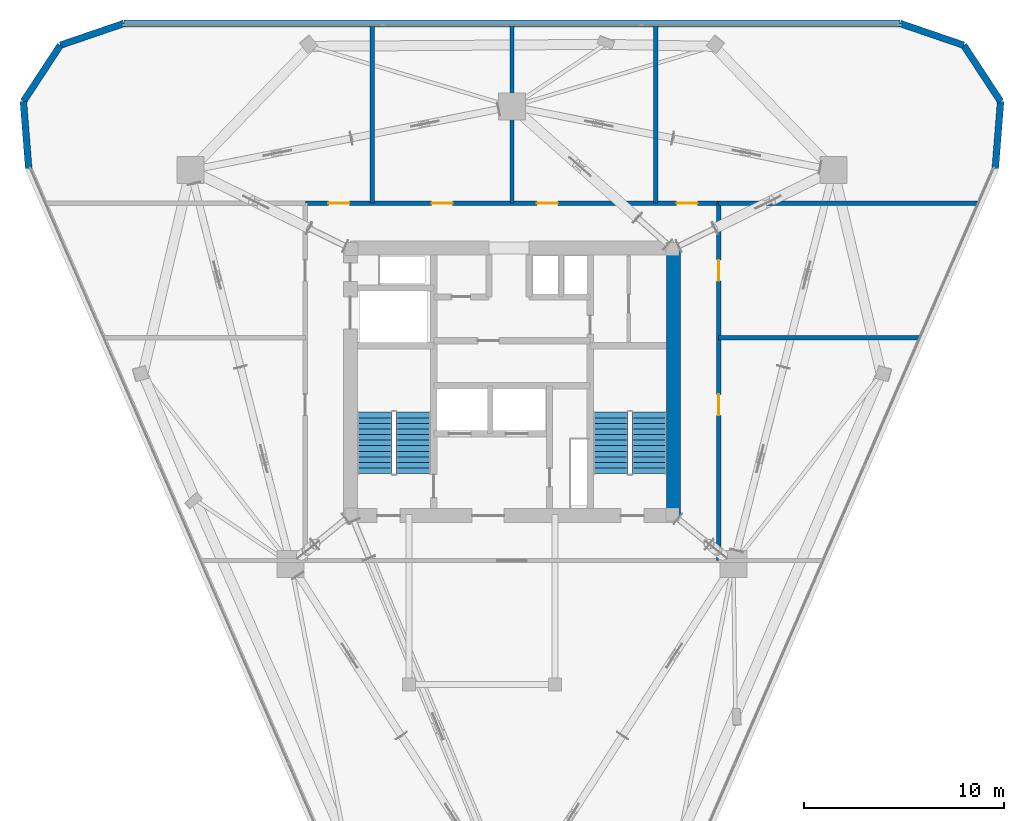
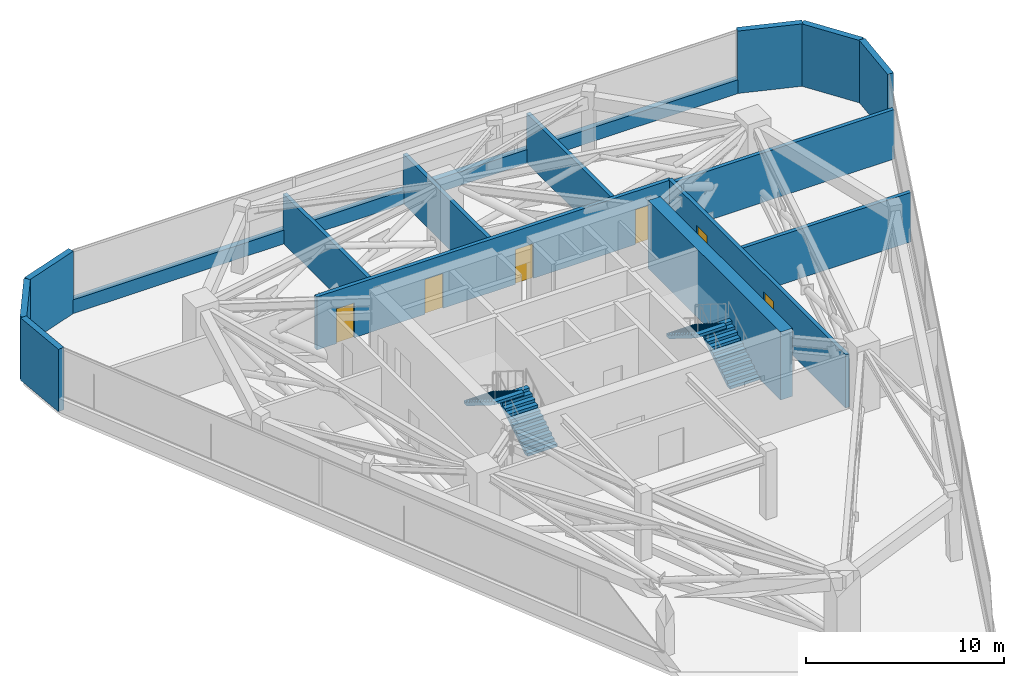
# One storey, part 11 of 12: 15 walls, 6 doors, 4 stair flights, 6 openings, 2 elements without a shape of their own.
"""IFC4 building model written with IfcOpenShell, lengths in metres."""

from ifc_helpers import new_model, si_unit, direction, frame, frame_2d, origin, place, context, subcontext, project, spatial, polyline, rectangle, outline, extrude, material, layer, layer_set, type_object, element, fill, aggregate, save


model = new_model("IFC4")

# Units and contexts
model_context = context("Model", 3, precision=1e-05, world=origin(), true_north=direction((0.0, 1.0)))
body_context = subcontext(model_context, "Body", "Model", "MODEL_VIEW")
ifc_project = project(units=[si_unit("LENGTHUNIT", "METRE"), si_unit("AREAUNIT", "SQUARE_METRE"), si_unit("VOLUMEUNIT", "CUBIC_METRE"), si_unit("PLANEANGLEUNIT", "RADIAN"), si_unit("MASSUNIT", "GRAM", prefix="KILO")], contexts=[model_context])

# Site, building, storey
site_placement = place(None, origin())
site = spatial("IfcSite", under=ifc_project, at=site_placement, CompositionType="ELEMENT")
building_placement = place(site_placement, origin())
building = spatial("IfcBuilding", under=site, at=building_placement, Name="Talyreon Biosciences Tower", CompositionType="ELEMENT")
storey_placement = place(building_placement, frame((0.0, 0.0, 223.199951171875)))
storey = spatial("IfcBuildingStorey", under=building, at=storey_placement, Name="L59", CompositionType="ELEMENT", Elevation=223.199951171875)

# Walls
ifc_material_1 = material(Name="Concrete C50/60", Category="concrete")
ifc_layer_1 = layer(ifc_material_1, 0.699951171875)
ifc_layer_set_1 = layer_set([ifc_layer_1], Name="Concrete C50/60")
wall_type_1 = type_object("IfcWallType", Name="CoreShearWall_700", PredefinedType="SHEAR", material=ifc_layer_set_1)
wall_1_placement = place(storey_placement, frame((74.10009765625, 61.300048828125, 0.0), z_axis=(0.0, 0.0, 1.0), x_axis=(0.0, 1.0, 0.0)))
element("IfcWall", 1, at=wall_1_placement, inside=storey, type_object=wall_type_1, Name="L59 Core Shear Wall E", PredefinedType="SHEAR", context=body_context, shape_type="SweptSolid", body=[
    extrude(rectangle(XDim=13.39990234375, YDim=0.699951171875, at=frame_2d((6.699951171875, 0.0))), origin(), (0.0, 0.0, 1.0), 4.199951171875),
])
ifc_material_2 = material(Name="Gypsum fireboard acoustic stud", Category="gypsum")
ifc_layer_2 = layer(ifc_material_2, 0.219970703125)
ifc_layer_set_2 = layer_set([ifc_layer_2], Name="Gypsum fireboard acoustic stud")
wall_type_2 = type_object("IfcWallType", Name="CorridorRatedPartition_220", PredefinedType="PARTITIONING", material=ifc_layer_set_2)
for number, where, z_axis, x_axis, name in (
    (2, (59.0, 76.949951171875, 0.0), (0.0, 0.0, 1.0), (0.0, 1.0, 0.0), "L59 Interior Wall IW-L59-ND1"),
    (3, (66.0, 76.949951171875, 0.0), (0.0, 0.0, 1.0), (0.0, 1.0, 0.0), "L59 Interior Wall IW-L59-ND2"),
    (4, (73.199951171875, 76.949951171875, 0.0), (0.0, 0.0, 1.0), (0.0, 1.0, 0.0), "L59 Interior Wall IW-L59-ND3"),
):
    element("IfcWall", number, at=place(storey_placement, frame(where, z_axis=z_axis, x_axis=x_axis)), inside=storey, type_object=wall_type_2, Name=name, PredefinedType="PARTITIONING", context=body_context, shape_type="SweptSolid", body=[
        extrude(rectangle(XDim=8.91650390625, YDim=0.219970703125, at=frame_2d((4.458251953125, 0.0))), origin(), (0.0, 0.0, 1.0), 3.050048828125),
    ])
wall_2_placement = place(storey_placement, frame((76.35009765625, 76.949951171875, 0.0), z_axis=(0.0, 0.0, 1.0), x_axis=(1.0, 0.0, 0.0)))
element("IfcWall", 5, at=wall_2_placement, inside=storey, type_object=wall_type_2, Name="L59 Interior Wall IW-L59-NDIV-NE", PredefinedType="PARTITIONING", context=body_context, shape_type="SweptSolid", body=[
    extrude(rectangle(XDim=13.0107421875, YDim=0.219970703125, at=frame_2d((6.50537109375, 0.0))), origin(), (0.0, 0.0, 1.0), 3.050048828125),
])
wall_3_placement = place(storey_placement, frame((76.35009765625, 70.199951171875, 0.0), z_axis=(0.0, 0.0, 1.0), x_axis=(1.0, 0.0, 0.0)))
element("IfcWall", 6, at=wall_3_placement, inside=storey, type_object=wall_type_2, Name="L59 Interior Wall IW-L59-ED1", PredefinedType="PARTITIONING", context=body_context, shape_type="SweptSolid", body=[
    extrude(rectangle(XDim=10.081298828125, YDim=0.219970703125, at=frame_2d((5.04052734375, 0.0))), origin(), (0.0, 0.0, 1.0), 3.050048828125),
])

# Wall, openings, doors
wall_4_placement = place(storey_placement, frame((76.35009765625, 59.050048828125, 0.0), z_axis=(0.0, 0.0, 1.0), x_axis=(0.0, 1.0, 0.0)))
wall_4 = element("IfcWall", 7, at=wall_4_placement, inside=storey, type_object=wall_type_2, Name="L59 Interior Wall IW-L59-PC-E", PredefinedType="PARTITIONING", context=body_context, shape_type="SweptSolid", body=[
    extrude(rectangle(XDim=17.89990234375, YDim=0.219970703125, at=frame_2d((8.949951171875, 0.0))), origin(), (0.0, 0.0, 1.0), 3.280029296875),
])
opening_1_placement = place(wall_4_placement, frame((7.264892578125, 0.0, 0.0)))
opening_1 = element("IfcOpeningElement", 8, at=opening_1_placement, cuts=wall_4, Name="Opening DR-L59-PL-EB", PredefinedType="OPENING", context=body_context, shape_type="SweptSolid", body=[
    extrude(rectangle(XDim=1.050048828125, YDim=2.14990234375, at=frame_2d((0.52490234375, 1.074951171875))), frame((0.0, 0.119873046875, 0.0), z_axis=(0.0, -1.0, 0.0), x_axis=(1.0, 0.0, 0.0)), (0.0, 0.0, 1.0), 0.239990234375),
])
opening_2_placement = place(wall_4_placement, frame((14.0, 0.0, 0.0)))
opening_2 = element("IfcOpeningElement", 9, at=opening_2_placement, cuts=wall_4, Name="Opening DR-L59-PL-EA", PredefinedType="OPENING", context=body_context, shape_type="SweptSolid", body=[
    extrude(rectangle(XDim=1.050048828125, YDim=2.14990234375, at=frame_2d((0.52490234375, 1.074951171875))), frame((0.0, 0.119873046875, 0.0), z_axis=(0.0, -1.0, 0.0), x_axis=(1.0, 0.0, 0.0)), (0.0, 0.0, 1.0), 0.239990234375),
])
ifc_material_3 = material(Name="Acoustic timber-core laboratory door", Category="wood")
door_type = type_object("IfcDoorType", Name="DryLabSingleDoor_1050x2150", OperationType="NOTDEFINED", PredefinedType="DOOR", material=ifc_material_3)
door_1_placement = place(opening_1_placement, origin())
door_1 = element("IfcDoor", 10, at=door_1_placement, inside=storey, type_object=door_type, Name="L59 Interior Door DR-L59-PL-EB", OperationType="SINGLE_SWING_RIGHT", OverallHeight=2.14990234375, OverallWidth=1.050048828125, PredefinedType="DOOR", context=body_context, shape_type="SweptSolid", body=[
    extrude(rectangle(XDim=1.050048828125, YDim=2.14990234375, at=frame_2d((0.52490234375, 1.074951171875))), frame((0.0, 0.02490234375, 0.0), z_axis=(0.0, -1.0, 0.0), x_axis=(1.0, 0.0, 0.0)), (0.0, 0.0, 1.0), 0.050048828125),
])
fill(opening_1, door_1)
door_2_placement = place(opening_2_placement, origin())
door_2 = element("IfcDoor", 11, at=door_2_placement, inside=storey, type_object=door_type, Name="L59 Interior Door DR-L59-PL-EA", OperationType="SINGLE_SWING_LEFT", OverallHeight=2.14990234375, OverallWidth=1.050048828125, PredefinedType="DOOR", context=body_context, shape_type="SweptSolid", body=[
    extrude(rectangle(XDim=1.050048828125, YDim=2.14990234375, at=frame_2d((0.52490234375, 1.074951171875))), frame((0.0, 0.02490234375, 0.0), z_axis=(0.0, -1.0, 0.0), x_axis=(1.0, 0.0, 0.0)), (0.0, 0.0, 1.0), 0.050048828125),
])
fill(opening_2, door_2)

wall_5_placement = place(storey_placement, frame((55.64990234375, 76.949951171875, 0.0), z_axis=(0.0, 0.0, 1.0), x_axis=(1.0, 0.0, 0.0)))
wall_5 = element("IfcWall", 12, at=wall_5_placement, inside=storey, type_object=wall_type_2, Name="L59 Interior Wall IW-L59-PC-N", PredefinedType="PARTITIONING", context=body_context, shape_type="SweptSolid", body=[
    extrude(rectangle(XDim=20.7001953125, YDim=0.219970703125, at=frame_2d((10.35009765625, 0.0))), origin(), (0.0, 0.0, 1.0), 3.280029296875),
])
opening_3_placement = place(wall_5_placement, frame((1.14990234375, 0.0, 0.0)))
opening_3 = element("IfcOpeningElement", 13, at=opening_3_placement, cuts=wall_5, Name="Opening DR-L59-PL-NWA", PredefinedType="OPENING", context=body_context, shape_type="SweptSolid", body=[
    extrude(rectangle(XDim=1.050048828125, YDim=2.14990234375, at=frame_2d((0.52490234375, 1.074951171875))), frame((0.0, 0.119873046875, 0.0), z_axis=(0.0, -1.0, 0.0), x_axis=(1.0, 0.0, 0.0)), (0.0, 0.0, 1.0), 0.239990234375),
])
opening_4_placement = place(wall_5_placement, frame((6.324951171875, 0.0, 0.0)))
opening_4 = element("IfcOpeningElement", 14, at=opening_4_placement, cuts=wall_5, Name="Opening DR-L59-PL-NWB", PredefinedType="OPENING", context=body_context, shape_type="SweptSolid", body=[
    extrude(rectangle(XDim=1.050048828125, YDim=2.14990234375, at=frame_2d((0.52490234375, 1.074951171875))), frame((0.0, 0.119873046875, 0.0), z_axis=(0.0, -1.0, 0.0), x_axis=(1.0, 0.0, 0.0)), (0.0, 0.0, 1.0), 0.239990234375),
])
opening_5_placement = place(wall_5_placement, frame((11.60205078125, 0.0, 0.0)))
opening_5 = element("IfcOpeningElement", 15, at=opening_5_placement, cuts=wall_5, Name="Opening DR-L59-PL-NEA", PredefinedType="OPENING", context=body_context, shape_type="SweptSolid", body=[
    extrude(rectangle(XDim=1.050048828125, YDim=2.14990234375, at=frame_2d((0.52490234375, 1.074951171875))), frame((0.0, 0.119873046875, 0.0), z_axis=(0.0, -1.0, 0.0), x_axis=(1.0, 0.0, 0.0)), (0.0, 0.0, 1.0), 0.239990234375),
])
opening_6_placement = place(wall_5_placement, frame((18.60009765625, 0.0, 0.0)))
opening_6 = element("IfcOpeningElement", 16, at=opening_6_placement, cuts=wall_5, Name="Opening DR-L59-PL-NEB", PredefinedType="OPENING", context=body_context, shape_type="SweptSolid", body=[
    extrude(rectangle(XDim=1.050048828125, YDim=2.14990234375, at=frame_2d((0.52490234375, 1.074951171875))), frame((0.0, 0.119873046875, 0.0), z_axis=(0.0, -1.0, 0.0), x_axis=(1.0, 0.0, 0.0)), (0.0, 0.0, 1.0), 0.239990234375),
])
door_3_placement = place(opening_3_placement, origin())
door_3 = element("IfcDoor", 17, at=door_3_placement, inside=storey, type_object=door_type, Name="L59 Interior Door DR-L59-PL-NWA", OperationType="SINGLE_SWING_LEFT", OverallHeight=2.14990234375, OverallWidth=1.050048828125, PredefinedType="DOOR", context=body_context, shape_type="SweptSolid", body=[
    extrude(rectangle(XDim=1.050048828125, YDim=2.14990234375, at=frame_2d((0.52490234375, 1.074951171875))), frame((0.0, 0.02490234375, 0.0), z_axis=(0.0, -1.0, 0.0), x_axis=(1.0, 0.0, 0.0)), (0.0, 0.0, 1.0), 0.050048828125),
])
fill(opening_3, door_3)
door_4_placement = place(opening_4_placement, origin())
door_4 = element("IfcDoor", 18, at=door_4_placement, inside=storey, type_object=door_type, Name="L59 Interior Door DR-L59-PL-NWB", OperationType="SINGLE_SWING_LEFT", OverallHeight=2.14990234375, OverallWidth=1.050048828125, PredefinedType="DOOR", context=body_context, shape_type="SweptSolid", body=[
    extrude(rectangle(XDim=1.050048828125, YDim=2.14990234375, at=frame_2d((0.52490234375, 1.074951171875))), frame((0.0, 0.02490234375, 0.0), z_axis=(0.0, -1.0, 0.0), x_axis=(1.0, 0.0, 0.0)), (0.0, 0.0, 1.0), 0.050048828125),
])
fill(opening_4, door_4)
door_5_placement = place(opening_5_placement, origin())
door_5 = element("IfcDoor", 19, at=door_5_placement, inside=storey, type_object=door_type, Name="L59 Interior Door DR-L59-PL-NEA", OperationType="SINGLE_SWING_RIGHT", OverallHeight=2.14990234375, OverallWidth=1.050048828125, PredefinedType="DOOR", context=body_context, shape_type="SweptSolid", body=[
    extrude(rectangle(XDim=1.050048828125, YDim=2.14990234375, at=frame_2d((0.52490234375, 1.074951171875))), frame((0.0, 0.02490234375, 0.0), z_axis=(0.0, -1.0, 0.0), x_axis=(1.0, 0.0, 0.0)), (0.0, 0.0, 1.0), 0.050048828125),
])
fill(opening_5, door_5)
door_6_placement = place(opening_6_placement, origin())
door_6 = element("IfcDoor", 20, at=door_6_placement, inside=storey, type_object=door_type, Name="L59 Interior Door DR-L59-PL-NEB", OperationType="SINGLE_SWING_LEFT", OverallHeight=2.14990234375, OverallWidth=1.050048828125, PredefinedType="DOOR", context=body_context, shape_type="SweptSolid", body=[
    extrude(rectangle(XDim=1.050048828125, YDim=2.14990234375, at=frame_2d((0.52490234375, 1.074951171875))), frame((0.0, 0.02490234375, 0.0), z_axis=(0.0, -1.0, 0.0), x_axis=(1.0, 0.0, 0.0)), (0.0, 0.0, 1.0), 0.050048828125),
])
fill(opening_6, door_6)

# Walls
ifc_material_4 = material(Name="Precast concrete C45/55", Category="concrete")
ifc_layer_3 = layer(ifc_material_4, 0.340087890625)
ifc_layer_set_3 = layer_set([ifc_layer_3], Name="Precast concrete C45/55")
wall_type_3 = type_object("IfcWallType", Name="PrecastConcreteSpandrelWall_340", PredefinedType="STANDARD", material=ifc_layer_set_3)
for number, where, z_axis, x_axis, name in (
    (21, (41.795166015625, 78.681396484375, 0.0), (0.0, 0.0, 1.0), (-0.079316248105, 0.996849503579, 0.0), "L59 Rounded-Corner Concrete Pier 01"),
    (22, (41.52783203125, 82.041259765625, 0.0), (0.0, 0.0, 1.0), (0.54858365387, 0.836095673177, 0.0), "L59 Rounded-Corner Concrete Pier 02"),
):
    element("IfcWall", number, at=place(storey_placement, frame(where, z_axis=z_axis, x_axis=x_axis)), inside=storey, type_object=wall_type_3, Name=name, PredefinedType="STANDARD", context=body_context, shape_type="SweptSolid", body=[
        extrude(rectangle(XDim=3.370361328125, YDim=0.340087890625, at=frame_2d((1.68505859375, 0.0))), origin(), (0.0, 0.0, 1.0), 3.85009765625),
    ])
wall_6_placement = place(storey_placement, frame((43.376708984375, 84.859130859375, 0.0), z_axis=(0.0, 0.0, 1.0), x_axis=(0.946036065973, 0.324061355115, 0.0)))
element("IfcWall", 23, at=wall_6_placement, inside=storey, type_object=wall_type_3, Name="L59 Rounded-Corner Concrete Pier 03", PredefinedType="STANDARD", context=body_context, shape_type="SweptSolid", body=[
    extrude(rectangle(XDim=3.37060546875, YDim=0.340087890625, at=frame_2d((1.685302734375, 0.0))), origin(), (0.0, 0.0, 1.0), 3.85009765625),
])
wall_7_placement = place(storey_placement, frame((46.5654296875, 85.951416015625, 0.0), z_axis=(0.0, 0.0, 1.0), x_axis=(1.0, 0.0, 0.0)))
element("IfcWall", 24, at=wall_7_placement, inside=storey, type_object=wall_type_3, Name="L59 Expressed Concrete Sill Wall 04", PredefinedType="STANDARD", context=body_context, shape_type="SweptSolid", body=[
    extrude(rectangle(XDim=38.869140625, YDim=0.340087890625, at=frame_2d((19.4345703125, 0.0))), origin(), (0.0, 0.0, 1.0), 0.85009765625),
])
wall_8_placement = place(storey_placement, frame((85.4345703125, 85.951416015625, 0.0), z_axis=(0.0, 0.0, 1.0), x_axis=(0.946036065973, -0.324061355115, 0.0)))
element("IfcWall", 25, at=wall_8_placement, inside=storey, type_object=wall_type_3, Name="L59 Rounded-Corner Concrete Pier 05", PredefinedType="STANDARD", context=body_context, shape_type="SweptSolid", body=[
    extrude(rectangle(XDim=3.37060546875, YDim=0.340087890625, at=frame_2d((1.685302734375, 0.0))), origin(), (0.0, 0.0, 1.0), 3.85009765625),
])
for number, where, z_axis, x_axis, name in (
    (26, (88.623291015625, 84.859130859375, 0.0), (0.0, 0.0, 1.0), (0.54858365387, -0.836095673177, 0.0), "L59 Rounded-Corner Concrete Pier 06"),
    (27, (90.47216796875, 82.041259765625, 0.0), (0.0, 0.0, 1.0), (-0.079316248105, -0.996849503579, 0.0), "L59 Rounded-Corner Concrete Pier 07"),
):
    element("IfcWall", number, at=place(storey_placement, frame(where, z_axis=z_axis, x_axis=x_axis)), inside=storey, type_object=wall_type_3, Name=name, PredefinedType="STANDARD", context=body_context, shape_type="SweptSolid", body=[
        extrude(rectangle(XDim=3.370361328125, YDim=0.340087890625, at=frame_2d((1.68505859375, 0.0))), origin(), (0.0, 0.0, 1.0), 3.85009765625),
    ])

# Stair, stair flights
ifc_material_5 = material(Name="Concrete C40/50", Category="concrete")
stair_type = type_object("IfcStairType", Name="DoglegEscapeStair_4200", PredefinedType="HALF_TURN_STAIR", material=ifc_material_5)
stair_1_placement = place(storey_placement, origin())
stair_1 = element("IfcStair", 28, at=stair_1_placement, inside=storey, type_object=stair_type, Name="L59 Core Escape Stair 1", PredefinedType="HALF_TURN_STAIR")
stair_flight_type = type_object("IfcStairFlightType", Name="PrecastStairFlight_4200", PredefinedType="STRAIGHT", material=ifc_material_5)
stair_flight_1_placement = place(storey_placement, frame((61.06005859375, 63.39990234375, 0.0), z_axis=(0.0, 0.0, 1.0), x_axis=(0.0, 1.0, 0.0)))
stair_flight_1 = element("IfcStairFlight", 29, at=stair_flight_1_placement, type_object=stair_flight_type, Name="ST-1 flight 1", NumberOfRisers=12, NumberOfTreads=11, PredefinedType="STRAIGHT", RiserHeight=0.175, TreadLength=0.28, context=body_context, shape_type="SweptSolid", body=[
    extrude(outline(polyline([(0.0, 0.0), (0.0, 0.175048828125), (0.280029296875, 0.175048828125), (0.280029296875, 0.35009765625), (0.56005859375, 0.35009765625), (0.56005859375, 0.52490234375), (0.840087890625, 0.52490234375), (0.840087890625, 0.699951171875), (1.1201171875, 0.699951171875), (1.1201171875, 0.875), (1.39990234375, 0.875), (1.39990234375, 1.050048828125), (1.679931640625, 1.050048828125), (1.679931640625, 1.22509765625), (1.9599609375, 1.22509765625), (1.9599609375, 1.39990234375), (2.239990234375, 1.39990234375), (2.239990234375, 1.574951171875), (2.52001953125, 1.574951171875), (2.52001953125, 1.75), (2.800048828125, 1.75), (2.800048828125, 1.925048828125), (3.080078125, 1.925048828125), (3.080078125, 2.10009765625), (3.080078125, 1.748291015625), (0.28271484375, 0.0), (0.0, 0.0)])), frame((0.0, 0.8701171875, 0.0), z_axis=(0.0, -1.0, 0.0), x_axis=(1.0, 0.0, 0.0)), (0.0, 0.0, 1.0), 1.739990234375),
])
stair_flight_2_placement = place(storey_placement, frame((59.1201171875, 66.47998046875, 2.10009765625), z_axis=(0.0, 0.0, 1.0), x_axis=(0.0, -1.0, 0.0)))
stair_flight_2 = element("IfcStairFlight", 30, at=stair_flight_2_placement, type_object=stair_flight_type, Name="ST-1 flight 2", NumberOfRisers=12, NumberOfTreads=11, PredefinedType="STRAIGHT", RiserHeight=0.175, TreadLength=0.28, context=body_context, shape_type="SweptSolid", body=[
    extrude(outline(polyline([(0.0, 0.0), (0.0, 0.175048828125), (0.280029296875, 0.175048828125), (0.280029296875, 0.35009765625), (0.56005859375, 0.35009765625), (0.56005859375, 0.52490234375), (0.840087890625, 0.52490234375), (0.840087890625, 0.699951171875), (1.1201171875, 0.699951171875), (1.1201171875, 0.875), (1.39990234375, 0.875), (1.39990234375, 1.050048828125), (1.679931640625, 1.050048828125), (1.679931640625, 1.22509765625), (1.9599609375, 1.22509765625), (1.9599609375, 1.39990234375), (2.239990234375, 1.39990234375), (2.239990234375, 1.574951171875), (2.52001953125, 1.574951171875), (2.52001953125, 1.75), (2.800048828125, 1.75), (2.800048828125, 1.925048828125), (3.080078125, 1.925048828125), (3.080078125, 2.10009765625), (3.080078125, 1.748291015625), (0.28271484375, 0.0), (0.0, 0.0)])), frame((0.0, 0.8701171875, 0.0), z_axis=(0.0, -1.0, 0.0), x_axis=(1.0, 0.0, 0.0)), (0.0, 0.0, 1.0), 1.739990234375),
])
aggregate(stair_1, [stair_flight_1, stair_flight_2])

stair_2_placement = place(storey_placement, origin())
stair_2 = element("IfcStair", 31, at=stair_2_placement, inside=storey, type_object=stair_type, Name="L59 Core Escape Stair 2", PredefinedType="HALF_TURN_STAIR")
stair_flight_3_placement = place(storey_placement, frame((72.8798828125, 63.39990234375, 0.0), z_axis=(0.0, 0.0, 1.0), x_axis=(0.0, 1.0, 0.0)))
stair_flight_3 = element("IfcStairFlight", 32, at=stair_flight_3_placement, type_object=stair_flight_type, Name="ST-2 flight 1", NumberOfRisers=12, NumberOfTreads=11, PredefinedType="STRAIGHT", RiserHeight=0.175, TreadLength=0.28, context=body_context, shape_type="SweptSolid", body=[
    extrude(outline(polyline([(0.0, 0.0), (0.0, 0.175048828125), (0.280029296875, 0.175048828125), (0.280029296875, 0.35009765625), (0.56005859375, 0.35009765625), (0.56005859375, 0.52490234375), (0.840087890625, 0.52490234375), (0.840087890625, 0.699951171875), (1.1201171875, 0.699951171875), (1.1201171875, 0.875), (1.39990234375, 0.875), (1.39990234375, 1.050048828125), (1.679931640625, 1.050048828125), (1.679931640625, 1.22509765625), (1.9599609375, 1.22509765625), (1.9599609375, 1.39990234375), (2.239990234375, 1.39990234375), (2.239990234375, 1.574951171875), (2.52001953125, 1.574951171875), (2.52001953125, 1.75), (2.800048828125, 1.75), (2.800048828125, 1.925048828125), (3.080078125, 1.925048828125), (3.080078125, 2.10009765625), (3.080078125, 1.748291015625), (0.28271484375, 0.0), (0.0, 0.0)])), frame((0.0, 0.8701171875, 0.0), z_axis=(0.0, -1.0, 0.0), x_axis=(1.0, 0.0, 0.0)), (0.0, 0.0, 1.0), 1.739990234375),
])
stair_flight_4_placement = place(storey_placement, frame((70.93994140625, 66.47998046875, 2.10009765625), z_axis=(0.0, 0.0, 1.0), x_axis=(0.0, -1.0, 0.0)))
stair_flight_4 = element("IfcStairFlight", 33, at=stair_flight_4_placement, type_object=stair_flight_type, Name="ST-2 flight 2", NumberOfRisers=12, NumberOfTreads=11, PredefinedType="STRAIGHT", RiserHeight=0.175, TreadLength=0.28, context=body_context, shape_type="SweptSolid", body=[
    extrude(outline(polyline([(0.0, 0.0), (0.0, 0.175048828125), (0.280029296875, 0.175048828125), (0.280029296875, 0.35009765625), (0.56005859375, 0.35009765625), (0.56005859375, 0.52490234375), (0.840087890625, 0.52490234375), (0.840087890625, 0.699951171875), (1.1201171875, 0.699951171875), (1.1201171875, 0.875), (1.39990234375, 0.875), (1.39990234375, 1.050048828125), (1.679931640625, 1.050048828125), (1.679931640625, 1.22509765625), (1.9599609375, 1.22509765625), (1.9599609375, 1.39990234375), (2.239990234375, 1.39990234375), (2.239990234375, 1.574951171875), (2.52001953125, 1.574951171875), (2.52001953125, 1.75), (2.800048828125, 1.75), (2.800048828125, 1.925048828125), (3.080078125, 1.925048828125), (3.080078125, 2.10009765625), (3.080078125, 1.748291015625), (0.28271484375, 0.0), (0.0, 0.0)])), frame((0.0, 0.8701171875, 0.0), z_axis=(0.0, -1.0, 0.0), x_axis=(1.0, 0.0, 0.0)), (0.0, 0.0, 1.0), 1.739990234375),
])
aggregate(stair_2, [stair_flight_3, stair_flight_4])

save(model, "model.ifc")
